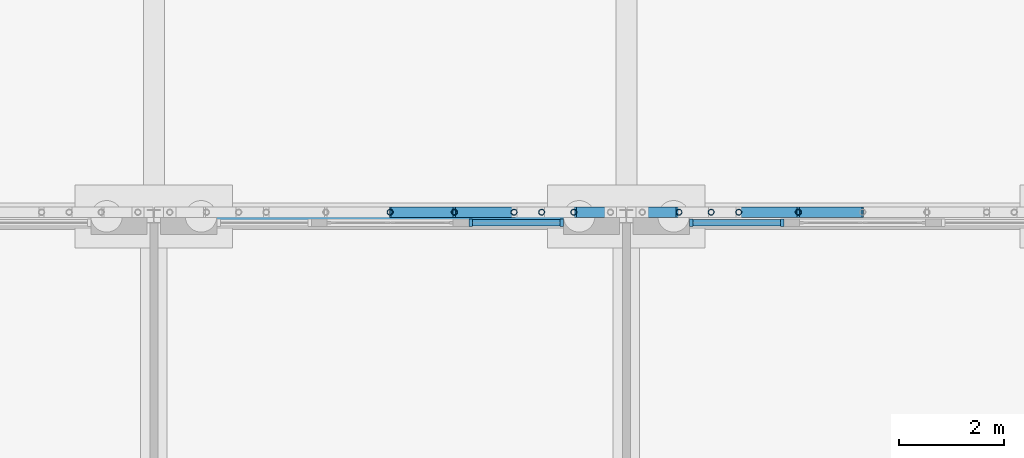
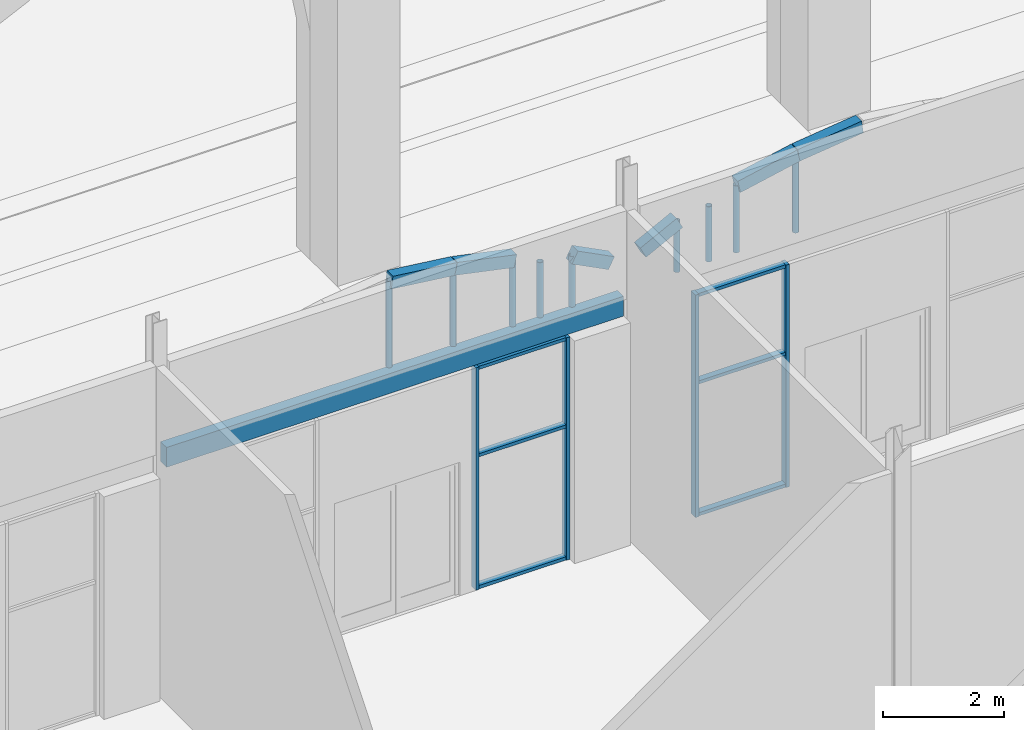
# One storey, part 59 of 250: 19 members, 7 beams, 2 elements without a shape of their own.
"""IFC4 building model written with IfcOpenShell, lengths in metres."""

from ifc_helpers import new_model, si_unit, direction, frame, origin, origin_2d, place, context, subcontext, project, spatial, rectangle, hollow_circle, extrude, material, material_profile, profile_set, type_object, element, aggregate, save


model = new_model("IFC4")

# Units and contexts
model_context = context("Model", 3, precision=1e-05, world=origin(), true_north=direction((0.0, 1.0)))
body_context = subcontext(model_context, "Body", "Model", "MODEL_VIEW")
ifc_project = project(units=[si_unit("LENGTHUNIT", "METRE"), si_unit("AREAUNIT", "SQUARE_METRE"), si_unit("VOLUMEUNIT", "CUBIC_METRE"), si_unit("PLANEANGLEUNIT", "RADIAN"), si_unit("MASSUNIT", "GRAM", prefix="KILO")], contexts=[model_context])

# Site, building, storey
site_placement = place(None, origin())
site = spatial("IfcSite", under=ifc_project, at=site_placement, CompositionType="ELEMENT")
building_placement = place(site_placement, origin())
building = spatial("IfcBuilding", under=site, at=building_placement, Name="Baradari Gate Terminus", CompositionType="ELEMENT")
storey_placement = place(building_placement, origin())
storey = spatial("IfcBuildingStorey", under=building, at=storey_placement, Name="L00", CompositionType="ELEMENT", Elevation=0.0)

# Members
ifc_material_1 = material(Name="Steel S355", Category="steel")
ifc_material_profile_1 = material_profile(ifc_material_1, hollow_circle(Radius=0.05712890625, WallThickness=0.00634765625, at=origin_2d()), Name="CHS 114.3x6.3")
ifc_profile_set_1 = profile_set([ifc_material_profile_1], Name="Steel S355")
member_type_1 = type_object("IfcMemberType", Name="Arcade arch post SP-2 114x6.3", PredefinedType="POST", material=ifc_profile_set_1)
member_1_placement = place(storey_placement, frame((211.5, 108.07861328125, 4.89990234375), z_axis=(0.0, 0.0, 1.0), x_axis=(1.0, 0.0, 0.0)))
element("IfcMember", 1, at=member_1_placement, inside=storey, type_object=member_type_1, Name="Arcade arch post 23.7", PredefinedType="POST", context=body_context, shape_type="SweptSolid", body=[
    extrude(hollow_circle(Radius=0.05712890625, WallThickness=0.00634765625, at=origin_2d()), origin(), (0.0, 0.0, 1.0), 1.7421875),
])
member_2_placement = place(storey_placement, frame((212.72412109375, 108.07861328125, 4.89990234375), z_axis=(0.0, 0.0, 1.0), x_axis=(1.0, 0.0, 0.0)))
element("IfcMember", 2, at=member_2_placement, inside=storey, type_object=member_type_1, Name="Arcade arch post 23.8", PredefinedType="POST", context=body_context, shape_type="SweptSolid", body=[
    extrude(hollow_circle(Radius=0.05712890625, WallThickness=0.00634765625, at=origin_2d()), origin(), (0.0, 0.0, 1.0), 1.593017578125),
])
member_3_placement = place(storey_placement, frame((213.86083984375, 108.07861328125, 4.89990234375), z_axis=(0.0, 0.0, 1.0), x_axis=(1.0, 0.0, 0.0)))
element("IfcMember", 3, at=member_3_placement, inside=storey, type_object=member_type_1, Name="Arcade arch post 23.9", PredefinedType="POST", context=body_context, shape_type="SweptSolid", body=[
    extrude(hollow_circle(Radius=0.05712890625, WallThickness=0.00634765625, at=origin_2d()), origin(), (0.0, 0.0, 1.0), 1.354248046875),
])
member_4_placement = place(storey_placement, frame((214.385498046875, 108.07861328125, 4.89990234375), z_axis=(0.0, 0.0, 1.0), x_axis=(1.0, 0.0, 0.0)))
element("IfcMember", 4, at=member_4_placement, inside=storey, type_object=member_type_1, Name="Arcade arch post 23.10", PredefinedType="POST", context=body_context, shape_type="SweptSolid", body=[
    extrude(hollow_circle(Radius=0.05712890625, WallThickness=0.00634765625, at=origin_2d()), origin(), (0.0, 0.0, 1.0), 1.115478515625),
])
for number, where, z_axis, x_axis, name in (
    (5, (214.99755859375, 108.07861328125, 4.89990234375), (0.0, 0.0, 1.0), (1.0, 0.0, 0.0), "Arcade arch post 23.11"),
    (6, (217.00244140625, 108.07861328125, 4.89990234375), (0.0, 0.0, 1.0), (1.0, 0.0, 0.0), "Arcade arch post 24.3"),
):
    element("IfcMember", number, at=place(storey_placement, frame(where, z_axis=z_axis, x_axis=x_axis)), inside=storey, type_object=member_type_1, Name=name, PredefinedType="POST", context=body_context, shape_type="SweptSolid", body=[
        extrude(hollow_circle(Radius=0.05712890625, WallThickness=0.00634765625, at=origin_2d()), origin(), (0.0, 0.0, 1.0), 1.02587890625),
    ])
member_5_placement = place(storey_placement, frame((217.614501953125, 108.07861328125, 4.89990234375), z_axis=(0.0, 0.0, 1.0), x_axis=(1.0, 0.0, 0.0)))
element("IfcMember", 7, at=member_5_placement, inside=storey, type_object=member_type_1, Name="Arcade arch post 24.4", PredefinedType="POST", context=body_context, shape_type="SweptSolid", body=[
    extrude(hollow_circle(Radius=0.05712890625, WallThickness=0.00634765625, at=origin_2d()), origin(), (0.0, 0.0, 1.0), 1.115478515625),
])
member_6_placement = place(storey_placement, frame((218.13916015625, 108.07861328125, 4.89990234375), z_axis=(0.0, 0.0, 1.0), x_axis=(1.0, 0.0, 0.0)))
element("IfcMember", 8, at=member_6_placement, inside=storey, type_object=member_type_1, Name="Arcade arch post 24.5", PredefinedType="POST", context=body_context, shape_type="SweptSolid", body=[
    extrude(hollow_circle(Radius=0.05712890625, WallThickness=0.00634765625, at=origin_2d()), origin(), (0.0, 0.0, 1.0), 1.354248046875),
])
member_7_placement = place(storey_placement, frame((219.27587890625, 108.07861328125, 4.89990234375), z_axis=(0.0, 0.0, 1.0), x_axis=(1.0, 0.0, 0.0)))
element("IfcMember", 9, at=member_7_placement, inside=storey, type_object=member_type_1, Name="Arcade arch post 24.6", PredefinedType="POST", context=body_context, shape_type="SweptSolid", body=[
    extrude(hollow_circle(Radius=0.05712890625, WallThickness=0.00634765625, at=origin_2d()), origin(), (0.0, 0.0, 1.0), 1.593017578125),
])

# Beams
ifc_material_2 = material(Name="Concrete C40/50 precast", Category="concrete")
ifc_material_profile_2 = material_profile(ifc_material_2, rectangle(XDim=0.199951171875, YDim=0.25, at=origin_2d()), Name="AB-1 200X250")
ifc_profile_set_2 = profile_set([ifc_material_profile_2], Name="Concrete C40/50 precast")
beam_type_1 = type_object("IfcBeamType", Name="Arcade arch segment AB-1 200x250", PredefinedType="BEAM", material=ifc_profile_set_2)
beam_1_placement = place(storey_placement, frame((211.5, 108.07861328125, 6.64208984375), z_axis=(0.992656897947, 0.0, -0.120963973802), x_axis=(0.0, 1.0, 0.0)))
element("IfcBeam", 10, at=beam_1_placement, inside=storey, type_object=beam_type_1, Name="Arcade arch AB-1 bay 23 segment 7", PredefinedType="BEAM", context=body_context, shape_type="SweptSolid", body=[
    extrude(rectangle(XDim=0.199951171875, YDim=0.25, at=origin_2d()), origin(), (0.0, 0.0, 1.0), 1.233154296875),
])
beam_2_placement = place(storey_placement, frame((212.72412109375, 108.07861328125, 6.492919921875), z_axis=(0.978643349291, 0.0, -0.205565548885), x_axis=(0.0, 1.0, 0.0)))
element("IfcBeam", 11, at=beam_2_placement, inside=storey, type_object=beam_type_1, Name="Arcade arch AB-1 bay 23 segment 8", PredefinedType="BEAM", context=body_context, shape_type="SweptSolid", body=[
    extrude(rectangle(XDim=0.199951171875, YDim=0.25, at=origin_2d()), origin(), (0.0, 0.0, 1.0), 1.16162109375),
])
for number, where, z_axis, x_axis, name in (
    (12, (214.99755859375, 108.07861328125, 5.92578125), (0.89022472097, 0.0, -0.455521619875), (0.0, 1.0, 0.0), "Arcade arch AB-1 bay 23 segment 11"),
    (13, (216.302978515625, 108.07861328125, 5.56787109375), (0.89022472097, 0.0, 0.455521619875), (0.0, 1.0, 0.0), "Arcade arch AB-1 bay 24 segment 2"),
):
    element("IfcBeam", number, at=place(storey_placement, frame(where, z_axis=z_axis, x_axis=x_axis)), inside=storey, type_object=beam_type_1, Name=name, PredefinedType="BEAM", context=body_context, shape_type="SweptSolid", body=[
        extrude(rectangle(XDim=0.199951171875, YDim=0.25, at=origin_2d()), origin(), (0.0, 0.0, 1.0), 0.78564453125),
    ])
beam_3_placement = place(storey_placement, frame((218.13916015625, 108.07861328125, 6.254150390625), z_axis=(0.978643349291, 0.0, 0.205565548885), x_axis=(0.0, 1.0, 0.0)))
element("IfcBeam", 14, at=beam_3_placement, inside=storey, type_object=beam_type_1, Name="Arcade arch AB-1 bay 24 segment 5", PredefinedType="BEAM", context=body_context, shape_type="SweptSolid", body=[
    extrude(rectangle(XDim=0.199951171875, YDim=0.25, at=origin_2d()), origin(), (0.0, 0.0, 1.0), 1.16162109375),
])
beam_4_placement = place(storey_placement, frame((219.27587890625, 108.07861328125, 6.492919921875), z_axis=(0.992656897947, 0.0, 0.120963973802), x_axis=(0.0, 1.0, 0.0)))
element("IfcBeam", 15, at=beam_4_placement, inside=storey, type_object=beam_type_1, Name="Arcade arch AB-1 bay 24 segment 6", PredefinedType="BEAM", context=body_context, shape_type="SweptSolid", body=[
    extrude(rectangle(XDim=0.199951171875, YDim=0.25, at=origin_2d()), origin(), (0.0, 0.0, 1.0), 1.233154296875),
])
ifc_material_3 = material(Name="Concrete C50/60 precast", Category="concrete")
ifc_material_profile_3 = material_profile(ifc_material_3, rectangle(XDim=0.199951171875, YDim=0.39990234375, at=origin_2d()), Name="LB-1 200X400")
ifc_profile_set_3 = profile_set([ifc_material_profile_3], Name="Concrete C50/60 precast")
beam_type_2 = type_object("IfcBeamType", Name="Arcade lintel LB-1 200x400", PredefinedType="LINTEL", material=ifc_profile_set_3)
beam_5_placement = place(storey_placement, frame((207.128173828125, 107.978515625, 4.699951171875), z_axis=(1.0, 0.0, 0.0), x_axis=(0.0, 1.0, 0.0)))
element("IfcBeam", 16, at=beam_5_placement, inside=storey, type_object=beam_type_2, Name="Arcade lintel LB-1 bay 23", PredefinedType="LINTEL", context=body_context, shape_type="SweptSolid", body=[
    extrude(rectangle(XDim=0.199951171875, YDim=0.39990234375, at=origin_2d()), origin(), (0.0, 0.0, 1.0), 8.74365234375),
])

# Curtain wall, members
ifc_material_4 = material(Name="Aluminium 6063-T6", Category="aluminium")
curtain_wall_type = type_object("IfcCurtainWallType", Name="Curtain wall CW-2 shopfront", PredefinedType="NOTDEFINED", material=ifc_material_4)
curtain_wall_1_placement = place(storey_placement, origin())
curtain_wall_1 = element("IfcCurtainWall", 17, at=curtain_wall_1_placement, inside=storey, type_object=curtain_wall_type, Name="Shopfront curtain wall CW-2 HN bay 23 L00", PredefinedType="NOTDEFINED")
ifc_material_5 = material(Name="Aluminium 6063-T6", Category="aluminium")
ifc_material_profile_4 = material_profile(ifc_material_5, rectangle(XDim=0.14990234375, YDim=0.06494140625, at=origin_2d()), Name="CM-2 65X150")
ifc_profile_set_4 = profile_set([ifc_material_profile_4], Name="Aluminium 6063-T6")
member_type_2 = type_object("IfcMemberType", Name="Curtain wall mullion CM-2 65x150", PredefinedType="MULLION", material=ifc_profile_set_4)
member_8_placement = place(storey_placement, frame((213.032470703125, 107.87841796875, 0.0), z_axis=(0.0, 0.0, 1.0), x_axis=(0.0, 1.0, 0.0)))
member_8 = element("IfcMember", 18, at=member_8_placement, type_object=member_type_2, Name="CW-2 mullion 1", PredefinedType="MULLION", context=body_context, shape_type="SweptSolid", body=[
    extrude(rectangle(XDim=0.14990234375, YDim=0.06494140625, at=origin_2d()), origin(), (0.0, 0.0, 1.0), 4.5),
])
member_9_placement = place(storey_placement, frame((214.767578125, 107.87841796875, 0.0), z_axis=(0.0, 0.0, 1.0), x_axis=(0.0, 1.0, 0.0)))
member_9 = element("IfcMember", 19, at=member_9_placement, type_object=member_type_2, Name="CW-2 mullion 2", PredefinedType="MULLION", context=body_context, shape_type="SweptSolid", body=[
    extrude(rectangle(XDim=0.14990234375, YDim=0.06494140625, at=origin_2d()), origin(), (0.0, 0.0, 1.0), 4.5),
])

curtain_wall_2_placement = place(storey_placement, origin())
curtain_wall_2 = element("IfcCurtainWall", 20, at=curtain_wall_2_placement, inside=storey, type_object=curtain_wall_type, Name="Shopfront curtain wall CW-2 HN bay 24 L00", PredefinedType="NOTDEFINED")
member_10_placement = place(storey_placement, frame((217.232421875, 107.87841796875, 0.0), z_axis=(0.0, 0.0, 1.0), x_axis=(0.0, 1.0, 0.0)))
member_10 = element("IfcMember", 21, at=member_10_placement, type_object=member_type_2, Name="CW-2 mullion 1", PredefinedType="MULLION", context=body_context, shape_type="SweptSolid", body=[
    extrude(rectangle(XDim=0.14990234375, YDim=0.06494140625, at=origin_2d()), origin(), (0.0, 0.0, 1.0), 4.5),
])
member_11_placement = place(storey_placement, frame((218.967529296875, 107.87841796875, 0.0), z_axis=(0.0, 0.0, 1.0), x_axis=(0.0, 1.0, 0.0)))
member_11 = element("IfcMember", 22, at=member_11_placement, type_object=member_type_2, Name="CW-2 mullion 2", PredefinedType="MULLION", context=body_context, shape_type="SweptSolid", body=[
    extrude(rectangle(XDim=0.14990234375, YDim=0.06494140625, at=origin_2d()), origin(), (0.0, 0.0, 1.0), 4.5),
])

# Member
ifc_material_6 = material(Name="Aluminium 6063-T6", Category="aluminium")
ifc_material_profile_5 = material_profile(ifc_material_6, rectangle(XDim=0.1201171875, YDim=0.06494140625, at=origin_2d()), Name="CT-2 65X120")
ifc_profile_set_5 = profile_set([ifc_material_profile_5], Name="Aluminium 6063-T6")
member_type_3 = type_object("IfcMemberType", Name="Curtain wall transom CT-2 65x120", PredefinedType="USERDEFINED", material=ifc_profile_set_5)
member_12_placement = place(storey_placement, frame((213.06494140625, 107.87841796875, 0.032470703125), z_axis=(1.0, 0.0, 0.0), x_axis=(0.0, 1.0, 0.0)))
member_12 = element("IfcMember", 23, at=member_12_placement, type_object=member_type_3, Name="CW-2 transom 1.1", ObjectType="TRANSOM", PredefinedType="USERDEFINED", context=body_context, shape_type="SweptSolid", body=[
    extrude(rectangle(XDim=0.1201171875, YDim=0.06494140625, at=origin_2d()), origin(), (0.0, 0.0, 1.0), 1.670166015625),
])

member_13_placement = place(storey_placement, frame((213.06494140625, 107.87841796875, 2.699951171875), z_axis=(1.0, 0.0, 0.0), x_axis=(0.0, 1.0, 0.0)))
member_13 = element("IfcMember", 24, at=member_13_placement, type_object=member_type_3, Name="CW-2 transom 1.2", ObjectType="TRANSOM", PredefinedType="USERDEFINED", context=body_context, shape_type="SweptSolid", body=[
    extrude(rectangle(XDim=0.1201171875, YDim=0.06494140625, at=origin_2d()), origin(), (0.0, 0.0, 1.0), 1.670166015625),
])

member_14_placement = place(storey_placement, frame((213.06494140625, 107.87841796875, 4.467529296875), z_axis=(1.0, 0.0, 0.0), x_axis=(0.0, 1.0, 0.0)))
member_14 = element("IfcMember", 25, at=member_14_placement, type_object=member_type_3, Name="CW-2 transom 1.3", ObjectType="TRANSOM", PredefinedType="USERDEFINED", context=body_context, shape_type="SweptSolid", body=[
    extrude(rectangle(XDim=0.1201171875, YDim=0.06494140625, at=origin_2d()), origin(), (0.0, 0.0, 1.0), 1.670166015625),
])

aggregate(curtain_wall_1, [member_8, member_9, member_12, member_13, member_14])

member_15_placement = place(storey_placement, frame((217.264892578125, 107.87841796875, 0.032470703125), z_axis=(1.0, 0.0, 0.0), x_axis=(0.0, 1.0, 0.0)))
member_15 = element("IfcMember", 26, at=member_15_placement, type_object=member_type_3, Name="CW-2 transom 1.1", ObjectType="TRANSOM", PredefinedType="USERDEFINED", context=body_context, shape_type="SweptSolid", body=[
    extrude(rectangle(XDim=0.1201171875, YDim=0.06494140625, at=origin_2d()), origin(), (0.0, 0.0, 1.0), 1.670166015625),
])

member_16_placement = place(storey_placement, frame((217.264892578125, 107.87841796875, 2.699951171875), z_axis=(1.0, 0.0, 0.0), x_axis=(0.0, 1.0, 0.0)))
member_16 = element("IfcMember", 27, at=member_16_placement, type_object=member_type_3, Name="CW-2 transom 1.2", ObjectType="TRANSOM", PredefinedType="USERDEFINED", context=body_context, shape_type="SweptSolid", body=[
    extrude(rectangle(XDim=0.1201171875, YDim=0.06494140625, at=origin_2d()), origin(), (0.0, 0.0, 1.0), 1.670166015625),
])

member_17_placement = place(storey_placement, frame((217.264892578125, 107.87841796875, 4.467529296875), z_axis=(1.0, 0.0, 0.0), x_axis=(0.0, 1.0, 0.0)))
member_17 = element("IfcMember", 28, at=member_17_placement, type_object=member_type_3, Name="CW-2 transom 1.3", ObjectType="TRANSOM", PredefinedType="USERDEFINED", context=body_context, shape_type="SweptSolid", body=[
    extrude(rectangle(XDim=0.1201171875, YDim=0.06494140625, at=origin_2d()), origin(), (0.0, 0.0, 1.0), 1.670166015625),
])

aggregate(curtain_wall_2, [member_10, member_11, member_15, member_16, member_17])

save(model, "model.ifc")
